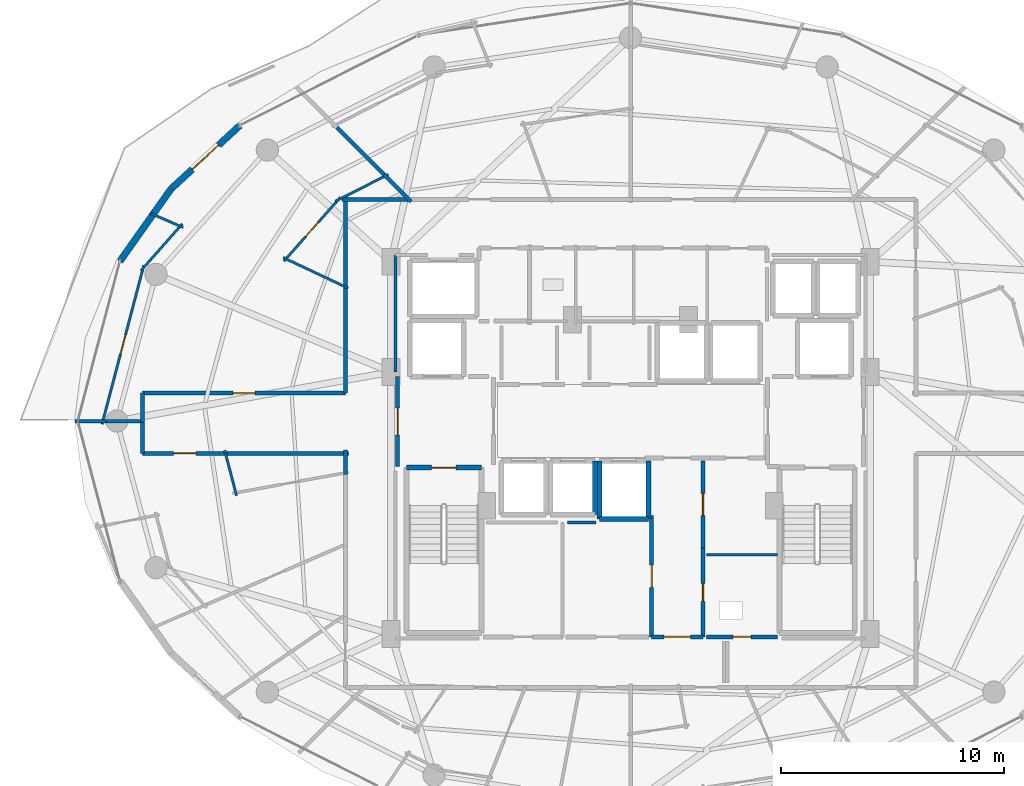
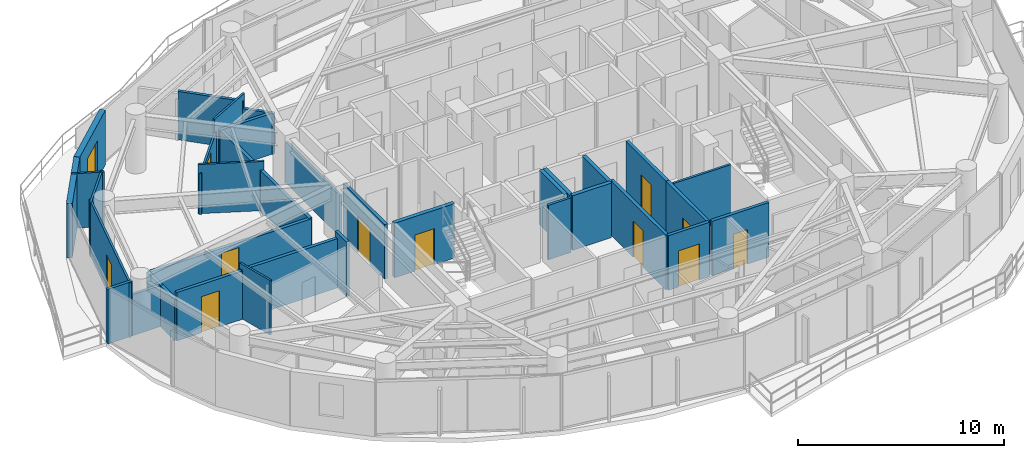
# One storey, part 23 of 31: 36 walls, 12 doors, 12 openings.
"""IFC4 building model written with IfcOpenShell, lengths in metres."""

import ifcopenshell
import ifcopenshell.guid

model = None  # the IFC model being written
_history = None  # IfcOwnerHistory: only IFC2X3 demands one
_inside = {}  # id of a spatial element -> (the spatial element, [elements in it])
_under = {}  # id of a project, library or spatial element -> (it, [spatial elements below it])
_declared = {}  # id of a project -> (the project, [libraries it declares])
_typed = {}  # id of a type object -> (the type object, [elements of that type])
_made_of = {}  # id of a material, layer set ... -> (it, [elements and type objects made of it])


def new_model(schema):
    """Start an empty IFC model of exactly this schema.

    Asked for "IFC4X3", IfcOpenShell would pick the latest addendum, in which some entities
    have other attributes; the version numbers below select the first issue.
    IFC2X3 requires an IfcOwnerHistory on every rooted entity: one is made here for all.
    """
    global model, _history
    if schema == "IFC4X3":
        model = ifcopenshell.file(schema_version=(4, 3, 0, 0))
    else:
        model = ifcopenshell.file(schema=schema)
    _inside.clear()
    _under.clear()
    _declared.clear()
    _typed.clear()
    _made_of.clear()
    _history = None
    if model.schema == "IFC2X3":
        org = make("IfcOrganization", Name="unknown")
        user = make(
            "IfcPersonAndOrganization",
            ThePerson=make("IfcPerson", FamilyName="unknown"),
            TheOrganization=org,
        )
        app = make(
            "IfcApplication",
            ApplicationDeveloper=org,
            Version="unknown",
            ApplicationFullName="unknown",
            ApplicationIdentifier="unknown",
        )
        _history = make(
            "IfcOwnerHistory",
            OwningUser=user,
            OwningApplication=app,
            ChangeAction="ADDED",
            CreationDate=0,
        )
    return model


def make(cls, **values):
    """One entity of the class cls with the attributes given. An attribute that is None is left unset."""
    return model.create_entity(
        cls, **{name: value for name, value in values.items() if value is not None}
    )


def rooted(cls, **values):
    """An entity with a GlobalId (a new one), such as an element, a storey or a relation."""
    return make(cls, GlobalId=ifcopenshell.guid.new(), OwnerHistory=_history, **values)


def si_unit(unit_type, name, prefix=None):
    """IfcSIUnit, for example si_unit("LENGTHUNIT", "METRE", prefix="MILLI")."""
    return make("IfcSIUnit", UnitType=unit_type, Prefix=prefix, Name=name)


def assignment(units):
    """IfcUnitAssignment: the units of a project."""
    return None if units is None else make("IfcUnitAssignment", Units=units)


def point(xyz):
    """IfcCartesianPoint."""
    return None if xyz is None else make("IfcCartesianPoint", Coordinates=xyz)


def direction(xyz):
    """IfcDirection."""
    return None if xyz is None else make("IfcDirection", DirectionRatios=xyz)


def frame(location, z_axis=None, x_axis=None):
    """IfcAxis2Placement3D, a coordinate frame: its origin and axes. An axis left out is left unset."""
    return make(
        "IfcAxis2Placement3D",
        Location=point(location),
        Axis=direction(z_axis),
        RefDirection=direction(x_axis),
    )


def frame_2d(location, x_axis=None):
    """IfcAxis2Placement2D, a coordinate frame in the plane: its origin and x axis."""
    return make(
        "IfcAxis2Placement2D", Location=point(location), RefDirection=direction(x_axis)
    )


def origin():
    """The frame at (0, 0, 0) with its axes left unset."""
    return frame((0.0, 0.0, 0.0))


def place(relative_to, where):
    """IfcLocalPlacement: puts the frame where relative to a parent placement (None: the world)."""
    return make(
        "IfcLocalPlacement", PlacementRelTo=relative_to, RelativePlacement=where
    )


def context(
    kind, dimensions, precision=None, world=None, true_north=None, identifier=None
):
    """IfcGeometricRepresentationContext, for example the 3D "Model" context."""
    return make(
        "IfcGeometricRepresentationContext",
        ContextIdentifier=identifier,
        ContextType=kind,
        CoordinateSpaceDimension=dimensions,
        Precision=precision,
        WorldCoordinateSystem=world,
        TrueNorth=true_north,
    )


def subcontext(parent, identifier, kind, view, scale=None):
    """IfcGeometricRepresentationSubContext, for example "Body" below "Model"."""
    return make(
        "IfcGeometricRepresentationSubContext",
        ContextIdentifier=identifier,
        ContextType=kind,
        ParentContext=parent,
        TargetScale=scale,
        TargetView=view,
    )


def project(units=None, contexts=None):
    """IfcProject with its units and contexts."""
    return rooted(
        "IfcProject",
        Name="project",
        RepresentationContexts=contexts,
        UnitsInContext=assignment(units),
    )


def spatial(cls, under=None, at=None, **own):
    """A site, building, storey or space (cls), placed at a placement, below another one or the project."""
    s = rooted(cls, ObjectPlacement=at, **own)
    if under is not None:
        _under.setdefault(under.id(), (under, []))[1].append(s)
    return s


def profile(cls, at=None, kind="AREA", **sizes):
    """A parametric profile (cls). Its sizes go by their IFC names, for example OverallWidth=200.0."""
    return make(cls, ProfileType=kind, Position=at, **sizes)


def rectangle(**sizes):
    """IfcRectangleProfileDef."""
    return profile("IfcRectangleProfileDef", **sizes)


def extrude(swept, where, along, depth):
    """IfcExtrudedAreaSolid: the profile swept, set in the frame where, extruded along a direction by depth."""
    return make(
        "IfcExtrudedAreaSolid",
        SweptArea=swept,
        Position=where,
        ExtrudedDirection=direction(along),
        Depth=depth,
    )


def shape(context_of_items, identifier, shape_type, items):
    """IfcShapeRepresentation: the items that make up one representation, for example the "Body"."""
    return make(
        "IfcShapeRepresentation",
        ContextOfItems=context_of_items,
        RepresentationIdentifier=identifier,
        RepresentationType=shape_type,
        Items=items,
    )


def material(Name=None, Category=None):
    """IfcMaterial."""
    return make("IfcMaterial", Name=Name, Category=Category)


def layer(
    of_material, thickness, ventilated=None, Name=None, Category=None, Priority=None
):
    """IfcMaterialLayer: one layer of a wall or slab, of a material (None: an air gap)."""
    return make(
        "IfcMaterialLayer",
        Material=of_material,
        LayerThickness=thickness,
        IsVentilated=ventilated,
        Name=Name,
        Category=Category,
        Priority=Priority,
    )


def layer_set(layers, Name=None):
    """IfcMaterialLayerSet."""
    return make("IfcMaterialLayerSet", MaterialLayers=layers, LayerSetName=Name)


def made_of(thing, what):
    """Note that an element or type object is made of a material, layer set ...; save() writes the relation."""
    if what is not None:
        _made_of.setdefault(what.id(), (what, []))[1].append(thing)
    return thing


def type_object(cls, material=None, **own):
    """A type object (cls), such as IfcWallType, which elements share."""
    return made_of(rooted(cls, **own), material)


def element(
    cls,
    number,
    at=None,
    inside=None,
    cuts=None,
    type_object=None,
    material=None,
    context=None,
    identifier="Body",
    shape_type=None,
    held_by="IfcProductDefinitionShape",
    body=None,
    shapes=None,
    **own,
):
    """One element of the class cls, such as IfcWall. Its Tag is "e" and its number.

    at: its placement. inside: the storey or other place that contains it. cuts: it is an
    opening in that element (IfcRelVoidsElement). A single representation is given by context,
    identifier, shape_type and body (its items); several are given by shapes. held_by: the class
    of the entity that holds the representations. save() writes the other relations.
    """
    e = rooted(cls, Tag="e%d" % number, ObjectPlacement=at, **own)
    if body is not None:
        shapes = [shape(context, identifier, shape_type, body)]
    if shapes is not None:
        e.Representation = make(held_by, Representations=shapes)
    if inside is not None:
        _inside.setdefault(inside.id(), (inside, []))[1].append(e)
    if cuts is not None:
        rooted(
            "IfcRelVoidsElement", RelatingBuildingElement=cuts, RelatedOpeningElement=e
        )
    if type_object is not None:
        _typed.setdefault(type_object.id(), (type_object, []))[1].append(e)
    return made_of(e, material)


def fill(opening, filler):
    """IfcRelFillsElement: the door or window that sits in an opening."""
    return rooted(
        "IfcRelFillsElement",
        RelatingOpeningElement=opening,
        RelatedBuildingElement=filler,
    )


def aggregate(whole, parts):
    """IfcRelAggregates: a whole, such as a stair, and the parts it consists of."""
    return rooted("IfcRelAggregates", RelatingObject=whole, RelatedObjects=parts)


def save(model, path):
    """Write the relations noted so far, then the file.

    IfcRelAggregates (storeys below a building ...), IfcRelContainedInSpatialStructure (elements
    in a storey), IfcRelDefinesByType, IfcRelAssociatesMaterial and IfcRelDeclares: one each for
    every whole, place, type object, material and project.
    """
    for whole, parts in _under.values():
        aggregate(whole, parts)
    for where, things in _inside.values():
        rooted(
            "IfcRelContainedInSpatialStructure",
            RelatedElements=things,
            RelatingStructure=where,
        )
    for kind, things in _typed.values():
        rooted("IfcRelDefinesByType", RelatedObjects=things, RelatingType=kind)
    for what, things in _made_of.values():
        rooted("IfcRelAssociatesMaterial", RelatedObjects=things, RelatingMaterial=what)
    for by, libraries in _declared.values():
        rooted("IfcRelDeclares", RelatingContext=by, RelatedDefinitions=libraries)
    model.write(path)


model = new_model("IFC4")

# Units and contexts
model_context = context("Model", 3, precision=1e-05, world=origin(), true_north=direction((0.0, 1.0)))
body_context = subcontext(model_context, "Body", "Model", "MODEL_VIEW")
ifc_project = project(units=[si_unit("LENGTHUNIT", "METRE"), si_unit("AREAUNIT", "SQUARE_METRE"), si_unit("VOLUMEUNIT", "CUBIC_METRE"), si_unit("PLANEANGLEUNIT", "RADIAN"), si_unit("MASSUNIT", "GRAM", prefix="KILO")], contexts=[model_context])

# Site, building, storey
site_placement = place(None, origin())
site = spatial("IfcSite", under=ifc_project, at=site_placement, CompositionType="ELEMENT")
building_placement = place(site_placement, origin())
building = spatial("IfcBuilding", under=site, at=building_placement, Name="Vorneva Point Tower", CompositionType="ELEMENT")
storey_placement = place(building_placement, frame((0.0, 0.0, 132.60009765625)))
storey = spatial("IfcBuildingStorey", under=building, at=storey_placement, Name="L35", CompositionType="ELEMENT", Elevation=132.60009765625)

# Wall, opening, door
ifc_material_1 = material(Name="Precast concrete B50 (C40/50)", Category="concrete")
ifc_layer_1 = layer(ifc_material_1, 0.300048828125)
ifc_layer_set_1 = layer_set([ifc_layer_1], Name="Precast concrete B50 (C40/50)")
wall_type_1 = type_object("IfcWallType", Name="WL-EXT-300", PredefinedType="STANDARD", material=ifc_layer_set_1)
wall_1_placement = place(storey_placement, frame((20.4638671875, 39.25830078125, 0.0), z_axis=(0.0, 0.0, 1.0), x_axis=(-0.735477154165, -0.677549522693, 0.0)))
wall_1 = element("IfcWall", 1, at=wall_1_placement, inside=storey, type_object=wall_type_1, Name="L35 Pale-Metal Facade Spandrel Wall 07.1", PredefinedType="STANDARD", context=body_context, shape_type="SweptSolid", body=[
    extrude(rectangle(XDim=4.193603515625, YDim=0.300048828125, at=frame_2d((2.0966796875, 0.0))), origin(), (0.0, 0.0, 1.0), 3.239990234375),
])
opening_1_placement = place(wall_1_placement, frame((1.296875, 0.0, 0.0)))
opening_1 = element("IfcOpeningElement", 2, at=opening_1_placement, cuts=wall_1, Name="Opening BD-01", PredefinedType="OPENING", context=body_context, shape_type="SweptSolid", body=[
    extrude(rectangle(XDim=1.60009765625, YDim=2.300048828125, at=frame_2d((0.800048828125, 1.14990234375))), frame((0.0, 0.1650390625, 0.0), z_axis=(0.0, -1.0, 0.0), x_axis=(1.0, 0.0, 0.0)), (0.0, 0.0, 1.0), 0.329833984375),
])
ifc_material_2 = material(Name="Pale anodised aluminium", Category="aluminium")
door_type_1 = type_object("IfcDoorType", Name="DR-BAL-1600", OperationType="SLIDING_TO_LEFT", PredefinedType="DOOR", material=ifc_material_2)
door_1_placement = place(opening_1_placement, origin())
door_1 = element("IfcDoor", 3, at=door_1_placement, inside=storey, type_object=door_type_1, Name="L35 Balcony Terrace Access Door 07", OperationType="SLIDING_TO_LEFT", OverallHeight=2.300048828125, OverallWidth=1.60009765625, PredefinedType="DOOR", context=body_context, shape_type="SweptSolid", body=[
    extrude(rectangle(XDim=1.60009765625, YDim=2.300048828125, at=frame_2d((0.800048828125, 1.14990234375))), frame((0.0, 0.02490234375, 0.0), z_axis=(0.0, -1.0, 0.0), x_axis=(1.0, 0.0, 0.0)), (0.0, 0.0, 1.0), 0.050048828125),
])
fill(opening_1, door_1)

# Walls
wall_2_placement = place(storey_placement, frame((17.379638671875, 36.4169921875, 0.0), z_axis=(0.0, 0.0, 1.0), x_axis=(-0.577269753207, -0.816553508371, 0.0)))
element("IfcWall", 4, at=wall_2_placement, inside=storey, type_object=wall_type_1, Name="L35 Pale-Metal Facade Spandrel Wall 07.2", PredefinedType="STANDARD", context=body_context, shape_type="SweptSolid", body=[
    extrude(rectangle(XDim=3.969970703125, YDim=0.300048828125, at=frame_2d((1.98486328125, 0.0))), origin(), (0.0, 0.0, 1.0), 3.239990234375),
])
ifc_material_3 = material(Name="Fire-rated acoustic gypsum stud partition", Category="gypsum")
ifc_layer_2 = layer(ifc_material_3, 0.110107421875)
ifc_layer_set_2 = layer_set([ifc_layer_2], Name="Fire-rated acoustic gypsum stud partition")
wall_type_2 = type_object("IfcWallType", Name="WL-PART-110", PredefinedType="PARTITIONING", material=ifc_layer_set_2)
wall_3_placement = place(storey_placement, frame((25.32666015625, 31.96337890625, 0.0), z_axis=(0.0, 0.0, 1.0), x_axis=(-0.904775800467, 0.425888190596, 0.0)))
element("IfcWall", 5, at=wall_3_placement, inside=storey, type_object=wall_type_2, Name="L35 Interior Partition 096", PredefinedType="PARTITIONING", context=body_context, shape_type="SweptSolid", body=[
    extrude(rectangle(XDim=3.224609375, YDim=0.110107421875, at=frame_2d((1.6123046875, 0.0))), origin(), (0.0, 0.0, 1.0), 2.921875),
])

# Wall, opening, door
wall_4_placement = place(storey_placement, frame((22.443359375, 33.172119140625, 0.0), z_axis=(0.0, 0.0, 1.0), x_axis=(0.662199468358, 0.749327607997, 0.0)))
wall_4 = element("IfcWall", 6, at=wall_4_placement, inside=storey, type_object=wall_type_2, Name="L35 Interior Partition 097", PredefinedType="PARTITIONING", context=body_context, shape_type="SweptSolid", body=[
    extrude(rectangle(XDim=3.813720703125, YDim=0.110107421875, at=frame_2d((1.90673828125, 0.0))), origin(), (0.0, 0.0, 1.0), 2.431884765625),
])
opening_2_placement = place(wall_4_placement, frame((1.48193359375, 0.0, 0.0)))
opening_2 = element("IfcOpeningElement", 7, at=opening_2_placement, cuts=wall_4, Name="Opening ID-02", PredefinedType="OPENING", context=body_context, shape_type="SweptSolid", body=[
    extrude(rectangle(XDim=0.85009765625, YDim=2.10009765625, at=frame_2d((0.425048828125, 1.050048828125))), frame((0.0, 0.06982421875, 0.0), z_axis=(0.0, -1.0, 0.0), x_axis=(1.0, 0.0, 0.0)), (0.0, 0.0, 1.0), 0.139892578125),
])
ifc_material_4 = material(Name="Engineered oak fire-rated door leaf", Category="wood")
door_type_2 = type_object("IfcDoorType", Name="DR-BATH-850", OperationType="NOTDEFINED", PredefinedType="DOOR", material=ifc_material_4)
door_2_placement = place(opening_2_placement, origin())
door_2 = element("IfcDoor", 8, at=door_2_placement, inside=storey, type_object=door_type_2, Name="L35 Door Studio Apartment L35-04 / Bathroom L35-04", OperationType="SINGLE_SWING_LEFT", OverallHeight=2.10009765625, OverallWidth=0.85009765625, PredefinedType="DOOR", context=body_context, shape_type="SweptSolid", body=[
    extrude(rectangle(XDim=0.85009765625, YDim=2.10009765625, at=frame_2d((0.425048828125, 1.050048828125))), frame((0.0, 0.02490234375, 0.0), z_axis=(0.0, -1.0, 0.0), x_axis=(1.0, 0.0, 0.0)), (0.0, 0.0, 1.0), 0.050048828125),
])
fill(opening_2, door_2)

# Walls
wall_5_placement = place(storey_placement, frame((24.751220703125, 35.86181640625, 0.0), z_axis=(0.0, 0.0, 1.0), x_axis=(0.892455114256, 0.451136197882, 0.0)))
element("IfcWall", 9, at=wall_5_placement, inside=storey, type_object=wall_type_2, Name="L35 Interior Partition 098", PredefinedType="PARTITIONING", context=body_context, shape_type="SweptSolid", body=[
    extrude(rectangle(XDim=2.660888671875, YDim=0.110107421875, at=frame_2d((1.33056640625, 0.0))), origin(), (0.0, 0.0, 1.0), 3.239990234375),
])
wall_6_placement = place(storey_placement, frame((17.8857421875, 34.848876953125, 0.0), z_axis=(0.0, 0.0, 1.0), x_axis=(-0.661981664989, -0.749520029898, 0.0)))
element("IfcWall", 10, at=wall_6_placement, inside=storey, type_object=wall_type_2, Name="L35 Interior Partition 099", PredefinedType="PARTITIONING", context=body_context, shape_type="SweptSolid", body=[
    extrude(rectangle(XDim=2.802978515625, YDim=0.110107421875, at=frame_2d((1.4013671875, 0.0))), origin(), (0.0, 0.0, 1.0), 3.239990234375),
])

# Wall, opening, door
wall_7_placement = place(storey_placement, frame((16.15869140625, 32.98828125, 0.0), z_axis=(0.0, 0.0, 1.0), x_axis=(-0.254441093922, -0.967088274008, 0.0)))
wall_7 = element("IfcWall", 11, at=wall_7_placement, inside=storey, type_object=wall_type_2, Name="L35 Interior Partition 100", PredefinedType="PARTITIONING", context=body_context, shape_type="SweptSolid", body=[
    extrude(rectangle(XDim=7.3662109375, YDim=0.110107421875, at=frame_2d((3.68310546875, 0.0))), origin(), (0.0, 0.0, 1.0), 3.239990234375),
])
opening_3_placement = place(wall_7_placement, frame((3.233154296875, 0.0, 0.0)))
opening_3 = element("IfcOpeningElement", 12, at=opening_3_placement, cuts=wall_7, Name="Opening ID-01", PredefinedType="OPENING", context=body_context, shape_type="SweptSolid", body=[
    extrude(rectangle(XDim=0.89990234375, YDim=2.10009765625, at=frame_2d((0.449951171875, 1.050048828125))), frame((0.0, 0.06982421875, 0.0), z_axis=(0.0, -1.0, 0.0), x_axis=(1.0, 0.0, 0.0)), (0.0, 0.0, 1.0), 0.139892578125),
])
door_type_3 = type_object("IfcDoorType", Name="DR-ROOM-900", OperationType="NOTDEFINED", PredefinedType="DOOR", material=ifc_material_4)
door_3_placement = place(opening_3_placement, origin())
door_3 = element("IfcDoor", 13, at=door_3_placement, inside=storey, type_object=door_type_3, Name="L35 Door Studio Apartment L35-04 / Kitchen L35-04", OperationType="SINGLE_SWING_RIGHT", OverallHeight=2.10009765625, OverallWidth=0.89990234375, PredefinedType="DOOR", context=body_context, shape_type="SweptSolid", body=[
    extrude(rectangle(XDim=0.89990234375, YDim=2.10009765625, at=frame_2d((0.449951171875, 1.050048828125))), frame((0.0, 0.02490234375, 0.0), z_axis=(0.0, -1.0, 0.0), x_axis=(1.0, 0.0, 0.0)), (0.0, 0.0, 1.0), 0.050048828125),
])
fill(opening_3, door_3)

# Walls
wall_8_placement = place(storey_placement, frame((16.443603515625, 35.32861328125, 0.0), z_axis=(0.0, 0.0, 1.0), x_axis=(0.917553781871, -0.397611691698, 0.0)))
element("IfcWall", 14, at=wall_8_placement, inside=storey, type_object=wall_type_2, Name="L35 Interior Partition 101", PredefinedType="PARTITIONING", context=body_context, shape_type="SweptSolid", body=[
    extrude(rectangle(XDim=1.610595703125, YDim=0.110107421875, at=frame_2d((0.80517578125, 0.0))), origin(), (0.0, 0.0, 1.0), 3.239990234375),
])
wall_9_placement = place(storey_placement, frame((20.321533203125, 22.646484375, 0.0), z_axis=(0.0, 0.0, 1.0), x_axis=(-0.254316581286, 0.967121024734, 0.0)))
element("IfcWall", 15, at=wall_9_placement, inside=storey, type_object=wall_type_2, Name="L35 Interior Partition 105", PredefinedType="PARTITIONING", context=body_context, shape_type="SweptSolid", body=[
    extrude(rectangle(XDim=2.108154296875, YDim=0.110107421875, at=frame_2d((1.05419921875, 0.0))), origin(), (0.0, 0.0, 1.0), 3.239990234375),
])
ifc_layer_3 = layer(ifc_material_3, 0.125)
ifc_layer_set_3 = layer_set([ifc_layer_3], Name="Fire-rated acoustic gypsum stud partition")
wall_type_3 = type_object("IfcWallType", Name="WL-PART-125", PredefinedType="PARTITIONING", material=ifc_layer_set_3)
wall_10_placement = place(storey_placement, frame((44.60009765625, 20.0, 0.0), z_axis=(0.0, 0.0, 1.0), x_axis=(-1.0, 0.0, 0.0)))
element("IfcWall", 16, at=wall_10_placement, inside=storey, type_object=wall_type_3, Name="L35 Interior Partition 018", PredefinedType="PARTITIONING", context=body_context, shape_type="SweptSolid", body=[
    extrude(rectangle(XDim=3.2001953125, YDim=0.125, at=frame_2d((1.60009765625, 0.0))), origin(), (0.0, 0.0, 1.0), 3.239990234375),
])
ifc_layer_4 = layer(ifc_material_3, 0.139892578125)
ifc_layer_set_4 = layer_set([ifc_layer_4], Name="Fire-rated acoustic gypsum stud partition")
wall_type_4 = type_object("IfcWallType", Name="WL-PART-140", PredefinedType="PARTITIONING", material=ifc_layer_set_4)
wall_11_placement = place(storey_placement, frame((36.43896484375, 21.449951171875, 0.0), z_axis=(0.0, 0.0, 1.0), x_axis=(-1.0, 0.0, 0.0)))
element("IfcWall", 17, at=wall_11_placement, inside=storey, type_object=wall_type_4, Name="L35 Interior Closure Partition 140", PredefinedType="PARTITIONING", context=body_context, shape_type="SweptSolid", body=[
    extrude(rectangle(XDim=1.259033203125, YDim=0.139892578125, at=frame_2d((0.62939453125, 0.0))), origin(), (0.0, 0.0, 1.0), 3.239990234375),
])
wall_12_placement = place(storey_placement, frame((27.449951171875, 33.449951171875, 0.0), z_axis=(0.0, 0.0, 1.0), x_axis=(0.0, -1.0, 0.0)))
element("IfcWall", 18, at=wall_12_placement, inside=storey, type_object=wall_type_4, Name="L35 Interior Closure Partition 149", PredefinedType="PARTITIONING", context=body_context, shape_type="SweptSolid", body=[
    extrude(rectangle(XDim=5.25390625, YDim=0.139892578125, at=frame_2d((2.626953125, 0.0))), origin(), (0.0, 0.0, 1.0), 2.431884765625),
])
ifc_layer_5 = layer(ifc_material_3, 0.159912109375)
ifc_layer_set_5 = layer_set([ifc_layer_5], Name="Fire-rated acoustic gypsum stud partition")
wall_type_5 = type_object("IfcWallType", Name="WL-PART-160", PredefinedType="PARTITIONING", material=ifc_layer_set_5)
wall_13_placement = place(storey_placement, frame((24.72607421875, 39.27392578125, 0.0), z_axis=(0.0, 0.0, 1.0), x_axis=(0.707106781187, -0.707106781187, 0.0)))
element("IfcWall", 19, at=wall_13_placement, inside=storey, type_object=wall_type_5, Name="L35 Interior Partition 093", PredefinedType="PARTITIONING", context=body_context, shape_type="SweptSolid", body=[
    extrude(rectangle(XDim=3.276611328125, YDim=0.159912109375, at=frame_2d((1.63818359375, 0.0))), origin(), (0.0, 0.0, 1.0), 2.8740234375),
])
wall_14_placement = place(storey_placement, frame((26.944091796875, 37.055908203125, 0.0), z_axis=(0.0, 0.0, 1.0), x_axis=(0.707106781187, -0.707106781187, 0.0)))
element("IfcWall", 20, at=wall_14_placement, inside=storey, type_object=wall_type_5, Name="L35 Interior Partition 094", PredefinedType="PARTITIONING", context=body_context, shape_type="SweptSolid", body=[
    extrude(rectangle(XDim=1.703857421875, YDim=0.159912109375, at=frame_2d((0.85205078125, 0.0))), origin(), (0.0, 0.0, 1.0), 2.431884765625),
])
wall_15_placement = place(storey_placement, frame((14.320068359375, 26.0, 0.0), z_axis=(0.0, 0.0, 1.0), x_axis=(1.0, 0.0, 0.0)))
element("IfcWall", 21, at=wall_15_placement, inside=storey, type_object=wall_type_5, Name="L35 Interior Partition 102", PredefinedType="PARTITIONING", context=body_context, shape_type="SweptSolid", body=[
    extrude(rectangle(XDim=1.780029296875, YDim=0.159912109375, at=frame_2d((0.89013671875, 0.0))), origin(), (0.0, 0.0, 1.0), 2.431884765625),
])
wall_16_placement = place(storey_placement, frame((13.06103515625, 26.0, 0.0), z_axis=(0.0, 0.0, 1.0), x_axis=(1.0, 0.0, 0.0)))
element("IfcWall", 22, at=wall_16_placement, inside=storey, type_object=wall_type_5, Name="L35 Interior Partition 103", PredefinedType="PARTITIONING", context=body_context, shape_type="SweptSolid", body=[
    extrude(rectangle(XDim=1.39892578125, YDim=0.159912109375, at=frame_2d((0.699462890625, 0.0))), origin(), (0.0, 0.0, 1.0), 3.239990234375),
])

# Wall, opening, door
ifc_material_5 = material(Name="Autoclaved aerated concrete blockwork", Category="masonry")
ifc_layer_6 = layer(ifc_material_5, 0.179931640625)
ifc_layer_set_6 = layer_set([ifc_layer_6], Name="Autoclaved aerated concrete blockwork")
wall_type_6 = type_object("IfcWallType", Name="WL-PART-180", PredefinedType="PARTITIONING", material=ifc_layer_set_6)
wall_17_placement = place(storey_placement, frame((27.550048828125, 28.0, 0.0), z_axis=(0.0, 0.0, 1.0), x_axis=(0.0, -1.0, 0.0)))
wall_17 = element("IfcWall", 23, at=wall_17_placement, inside=storey, type_object=wall_type_6, Name="L35 Interior Partition 002", PredefinedType="PARTITIONING", context=body_context, shape_type="SweptSolid", body=[
    extrude(rectangle(XDim=4.050048828125, YDim=0.179931640625, at=frame_2d((2.02490234375, 0.0))), origin(), (0.0, 0.0, 1.0), 3.239990234375),
])
opening_4_placement = place(wall_17_placement, frame((1.425048828125, 0.0, 0.0)))
opening_4 = element("IfcOpeningElement", 24, at=opening_4_placement, cuts=wall_17, Name="Opening FD-02", PredefinedType="OPENING", context=body_context, shape_type="SweptSolid", body=[
    extrude(rectangle(XDim=1.199951171875, YDim=2.14990234375, at=frame_2d((0.60009765625, 1.074951171875))), frame((0.0, 0.10498046875, 0.0), z_axis=(0.0, -1.0, 0.0), x_axis=(1.0, 0.0, 0.0)), (0.0, 0.0, 1.0), 0.209716796875),
])
ifc_material_6 = material(Name="Fire-rated powder-coated steel", Category="steel")
door_type_4 = type_object("IfcDoorType", Name="DR-FFL-1200", OperationType="NOTDEFINED", PredefinedType="DOOR", material=ifc_material_6)
door_4_placement = place(opening_4_placement, origin())
door_4 = element("IfcDoor", 25, at=door_4_placement, inside=storey, type_object=door_type_4, Name="L35 Door West Firefighting Lobby / L35 Circulation Corridor", OperationType="SINGLE_SWING_RIGHT", OverallHeight=2.14990234375, OverallWidth=1.199951171875, PredefinedType="DOOR", context=body_context, shape_type="SweptSolid", body=[
    extrude(rectangle(XDim=1.199951171875, YDim=2.14990234375, at=frame_2d((0.60009765625, 1.074951171875))), frame((0.0, 0.02490234375, 0.0), z_axis=(0.0, -1.0, 0.0), x_axis=(1.0, 0.0, 0.0)), (0.0, 0.0, 1.0), 0.050048828125),
])
fill(opening_4, door_4)

wall_18_placement = place(storey_placement, frame((41.25, 16.320068359375, 0.0), z_axis=(0.0, 0.0, 1.0), x_axis=(0.0, 1.0, 0.0)))
wall_18 = element("IfcWall", 26, at=wall_18_placement, inside=storey, type_object=wall_type_6, Name="L35 Interior Partition 014", PredefinedType="PARTITIONING", context=body_context, shape_type="SweptSolid", body=[
    extrude(rectangle(XDim=3.98486328125, YDim=0.179931640625, at=frame_2d((1.992431640625, 0.0))), origin(), (0.0, 0.0, 1.0), 3.239990234375),
])
opening_5_placement = place(wall_18_placement, frame((1.592529296875, 0.0, 0.0)))
opening_5 = element("IfcOpeningElement", 27, at=opening_5_placement, cuts=wall_18, Name="Opening RD-01", PredefinedType="OPENING", context=body_context, shape_type="SweptSolid", body=[
    extrude(rectangle(XDim=0.800048828125, YDim=2.050048828125, at=frame_2d((0.39990234375, 1.02490234375))), frame((0.0, 0.10498046875, 0.0), z_axis=(0.0, -1.0, 0.0), x_axis=(1.0, 0.0, 0.0)), (0.0, 0.0, 1.0), 0.209716796875),
])
door_type_5 = type_object("IfcDoorType", Name="DR-RSR-800", OperationType="SINGLE_SWING_LEFT", PredefinedType="DOOR", material=ifc_material_6)
door_5_placement = place(opening_5_placement, origin())
door_5 = element("IfcDoor", 28, at=door_5_placement, inside=storey, type_object=door_type_5, Name="L35 Door Core Service Lobby / Electrical Riser", OperationType="SINGLE_SWING_RIGHT", OverallHeight=2.050048828125, OverallWidth=0.800048828125, PredefinedType="DOOR", context=body_context, shape_type="SweptSolid", body=[
    extrude(rectangle(XDim=0.800048828125, YDim=2.050048828125, at=frame_2d((0.39990234375, 1.02490234375))), frame((0.0, 0.02490234375, 0.0), z_axis=(0.0, -1.0, 0.0), x_axis=(1.0, 0.0, 0.0)), (0.0, 0.0, 1.0), 0.050048828125),
])
fill(opening_5, door_5)

wall_19_placement = place(storey_placement, frame((41.25, 20.304931640625, 0.0), z_axis=(0.0, 0.0, 1.0), x_axis=(0.0, 1.0, 0.0)))
wall_19 = element("IfcWall", 29, at=wall_19_placement, inside=storey, type_object=wall_type_6, Name="L35 Interior Partition 015", PredefinedType="PARTITIONING", context=body_context, shape_type="SweptSolid", body=[
    extrude(rectangle(XDim=3.89501953125, YDim=0.179931640625, at=frame_2d((1.947509765625, 0.0))), origin(), (0.0, 0.0, 1.0), 3.239990234375),
])
opening_6_placement = place(wall_19_placement, frame((1.447509765625, 0.0, 0.0)))
opening_6 = element("IfcOpeningElement", 30, at=opening_6_placement, cuts=wall_19, Name="Opening UD-01", PredefinedType="OPENING", context=body_context, shape_type="SweptSolid", body=[
    extrude(rectangle(XDim=1.0, YDim=2.14990234375, at=frame_2d((0.5, 1.074951171875))), frame((0.0, 0.10498046875, 0.0), z_axis=(0.0, -1.0, 0.0), x_axis=(1.0, 0.0, 0.0)), (0.0, 0.0, 1.0), 0.209716796875),
])
door_type_6 = type_object("IfcDoorType", Name="DR-UNIT-1000", OperationType="NOTDEFINED", PredefinedType="DOOR", material=ifc_material_4)
door_6_placement = place(opening_6_placement, origin())
door_6 = element("IfcDoor", 31, at=door_6_placement, inside=storey, type_object=door_type_6, Name="L35 Door Core Service Lobby / Floor Management Office", OperationType="SINGLE_SWING_LEFT", OverallHeight=2.14990234375, OverallWidth=1.0, PredefinedType="DOOR", context=body_context, shape_type="SweptSolid", body=[
    extrude(rectangle(XDim=1.0, YDim=2.14990234375, at=frame_2d((0.5, 1.074951171875))), frame((0.0, 0.02490234375, 0.0), z_axis=(0.0, -1.0, 0.0), x_axis=(1.0, 0.0, 0.0)), (0.0, 0.0, 1.0), 0.050048828125),
])
fill(opening_6, door_6)

wall_20_placement = place(storey_placement, frame((38.949951171875, 21.7548828125, 0.0), z_axis=(0.0, 0.0, 1.0), x_axis=(0.0, -1.0, 0.0)))
wall_20 = element("IfcWall", 32, at=wall_20_placement, inside=storey, type_object=wall_type_6, Name="L35 Interior Partition 016", PredefinedType="PARTITIONING", context=body_context, shape_type="SweptSolid", body=[
    extrude(rectangle(XDim=5.434814453125, YDim=0.179931640625, at=frame_2d((2.71728515625, 0.0))), origin(), (0.0, 0.0, 1.0), 3.239990234375),
])
opening_7_placement = place(wall_20_placement, frame((2.217529296875, 0.0, 0.0)))
opening_7 = element("IfcOpeningElement", 33, at=opening_7_placement, cuts=wall_20, Name="Opening UD-01", PredefinedType="OPENING", context=body_context, shape_type="SweptSolid", body=[
    extrude(rectangle(XDim=1.0, YDim=2.14990234375, at=frame_2d((0.5, 1.074951171875))), frame((0.0, 0.10498046875, 0.0), z_axis=(0.0, -1.0, 0.0), x_axis=(1.0, 0.0, 0.0)), (0.0, 0.0, 1.0), 0.209716796875),
])
door_7_placement = place(opening_7_placement, origin())
door_7 = element("IfcDoor", 34, at=door_7_placement, inside=storey, type_object=door_type_6, Name="L35 Door Core Service Lobby / Staff Service Pantry", OperationType="SINGLE_SWING_RIGHT", OverallHeight=2.14990234375, OverallWidth=1.0, PredefinedType="DOOR", context=body_context, shape_type="SweptSolid", body=[
    extrude(rectangle(XDim=1.0, YDim=2.14990234375, at=frame_2d((0.5, 1.074951171875))), frame((0.0, 0.02490234375, 0.0), z_axis=(0.0, -1.0, 0.0), x_axis=(1.0, 0.0, 0.0)), (0.0, 0.0, 1.0), 0.050048828125),
])
fill(opening_7, door_7)

wall_21_placement = place(storey_placement, frame((38.949951171875, 16.320068359375, 0.0), z_axis=(0.0, 0.0, 1.0), x_axis=(1.0, 0.0, 0.0)))
wall_21 = element("IfcWall", 35, at=wall_21_placement, inside=storey, type_object=wall_type_6, Name="L35 Interior Partition 017", PredefinedType="PARTITIONING", context=body_context, shape_type="SweptSolid", body=[
    extrude(rectangle(XDim=2.300048828125, YDim=0.179931640625, at=frame_2d((1.14990234375, 0.0))), origin(), (0.0, 0.0, 1.0), 3.239990234375),
])
opening_8_placement = place(wall_21_placement, frame((0.550048828125, 0.0, 0.0)))
opening_8 = element("IfcOpeningElement", 36, at=opening_8_placement, cuts=wall_21, Name="Opening FD-02", PredefinedType="OPENING", context=body_context, shape_type="SweptSolid", body=[
    extrude(rectangle(XDim=1.199951171875, YDim=2.14990234375, at=frame_2d((0.60009765625, 1.074951171875))), frame((0.0, 0.10498046875, 0.0), z_axis=(0.0, -1.0, 0.0), x_axis=(1.0, 0.0, 0.0)), (0.0, 0.0, 1.0), 0.209716796875),
])
door_8_placement = place(opening_8_placement, origin())
door_8 = element("IfcDoor", 37, at=door_8_placement, inside=storey, type_object=door_type_4, Name="L35 Door Core Service Lobby / L35 Circulation Corridor", OperationType="SINGLE_SWING_LEFT", OverallHeight=2.14990234375, OverallWidth=1.199951171875, PredefinedType="DOOR", context=body_context, shape_type="SweptSolid", body=[
    extrude(rectangle(XDim=1.199951171875, YDim=2.14990234375, at=frame_2d((0.60009765625, 1.074951171875))), frame((0.0, 0.02490234375, 0.0), z_axis=(0.0, -1.0, 0.0), x_axis=(1.0, 0.0, 0.0)), (0.0, 0.0, 1.0), 0.050048828125),
])
fill(opening_8, door_8)

wall_22_placement = place(storey_placement, frame((41.39990234375, 16.320068359375, 0.0), z_axis=(0.0, 0.0, 1.0), x_axis=(1.0, 0.0, 0.0)))
wall_22 = element("IfcWall", 38, at=wall_22_placement, inside=storey, type_object=wall_type_6, Name="L35 Interior Partition 019", PredefinedType="PARTITIONING", context=body_context, shape_type="SweptSolid", body=[
    extrude(rectangle(XDim=3.2001953125, YDim=0.179931640625, at=frame_2d((1.60009765625, 0.0))), origin(), (0.0, 0.0, 1.0), 3.239990234375),
])
opening_9_placement = place(wall_22_placement, frame((1.199951171875, 0.0, 0.0)))
opening_9 = element("IfcOpeningElement", 39, at=opening_9_placement, cuts=wall_22, Name="Opening RD-01", PredefinedType="OPENING", context=body_context, shape_type="SweptSolid", body=[
    extrude(rectangle(XDim=0.800048828125, YDim=2.050048828125, at=frame_2d((0.39990234375, 1.02490234375))), frame((0.0, 0.10498046875, 0.0), z_axis=(0.0, -1.0, 0.0), x_axis=(1.0, 0.0, 0.0)), (0.0, 0.0, 1.0), 0.209716796875),
])
door_9_placement = place(opening_9_placement, origin())
door_9 = element("IfcDoor", 40, at=door_9_placement, inside=storey, type_object=door_type_5, Name="L35 Door Electrical Riser / L35 Circulation Corridor", OperationType="SINGLE_SWING_RIGHT", OverallHeight=2.050048828125, OverallWidth=0.800048828125, PredefinedType="DOOR", context=body_context, shape_type="SweptSolid", body=[
    extrude(rectangle(XDim=0.800048828125, YDim=2.050048828125, at=frame_2d((0.39990234375, 1.02490234375))), frame((0.0, 0.02490234375, 0.0), z_axis=(0.0, -1.0, 0.0), x_axis=(1.0, 0.0, 0.0)), (0.0, 0.0, 1.0), 0.050048828125),
])
fill(opening_9, door_9)

# Walls
wall_23_placement = place(storey_placement, frame((16.10009765625, 27.25, 0.0), z_axis=(0.0, 0.0, 1.0), x_axis=(0.0, -1.0, 0.0)))
element("IfcWall", 41, at=wall_23_placement, inside=storey, type_object=wall_type_6, Name="L35 Interior Partition 044", PredefinedType="PARTITIONING", context=body_context, shape_type="SweptSolid", body=[
    extrude(rectangle(XDim=1.31005859375, YDim=0.179931640625, at=frame_2d((0.655029296875, 0.0))), origin(), (0.0, 0.0, 1.0), 2.431884765625),
])
wall_24_placement = place(storey_placement, frame((25.199951171875, 32.089111328125, 0.0), z_axis=(0.0, 0.0, 1.0), x_axis=(0.0, -1.0, 0.0)))
element("IfcWall", 42, at=wall_24_placement, inside=storey, type_object=wall_type_6, Name="L35 Interior Partition 045", PredefinedType="PARTITIONING", context=body_context, shape_type="SweptSolid", body=[
    extrude(rectangle(XDim=4.839111328125, YDim=0.179931640625, at=frame_2d((2.41943359375, 0.0))), origin(), (0.0, 0.0, 1.0), 2.431884765625),
])

# Wall, opening, door
wall_25_placement = place(storey_placement, frame((25.199951171875, 27.25, 0.0), z_axis=(0.0, 0.0, 1.0), x_axis=(-1.0, 0.0, 0.0)))
wall_25 = element("IfcWall", 43, at=wall_25_placement, inside=storey, type_object=wall_type_6, Name="L35 Interior Partition 046", PredefinedType="PARTITIONING", context=body_context, shape_type="SweptSolid", body=[
    extrude(rectangle(XDim=9.099853515625, YDim=0.179931640625, at=frame_2d((4.5498046875, 0.0))), origin(), (0.0, 0.0, 1.0), 2.431884765625),
])
opening_10_placement = place(wall_25_placement, frame((4.050048828125, 0.0, 0.0)))
opening_10 = element("IfcOpeningElement", 44, at=opening_10_placement, cuts=wall_25, Name="Opening UD-01", PredefinedType="OPENING", context=body_context, shape_type="SweptSolid", body=[
    extrude(rectangle(XDim=1.0, YDim=2.14990234375, at=frame_2d((0.5, 1.074951171875))), frame((0.0, 0.10498046875, 0.0), z_axis=(0.0, -1.0, 0.0), x_axis=(1.0, 0.0, 0.0)), (0.0, 0.0, 1.0), 0.209716796875),
])
door_10_placement = place(opening_10_placement, origin())
door_10 = element("IfcDoor", 45, at=door_10_placement, inside=storey, type_object=door_type_6, Name="L35 Door L35 Circulation Corridor / Studio Apartment L35-04", OperationType="SINGLE_SWING_RIGHT", OverallHeight=2.14990234375, OverallWidth=1.0, PredefinedType="DOOR", context=body_context, shape_type="SweptSolid", body=[
    extrude(rectangle(XDim=1.0, YDim=2.14990234375, at=frame_2d((0.5, 1.074951171875))), frame((0.0, 0.02490234375, 0.0), z_axis=(0.0, -1.0, 0.0), x_axis=(1.0, 0.0, 0.0)), (0.0, 0.0, 1.0), 0.050048828125),
])
fill(opening_10, door_10)

# Walls
wall_26_placement = place(storey_placement, frame((28.10498046875, 35.949951171875, 0.0), z_axis=(0.0, 0.0, 1.0), x_axis=(-1.0, 0.0, 0.0)))
element("IfcWall", 46, at=wall_26_placement, inside=storey, type_object=wall_type_6, Name="L35 Interior Partition 047", PredefinedType="PARTITIONING", context=body_context, shape_type="SweptSolid", body=[
    extrude(rectangle(XDim=3.044921875, YDim=0.179931640625, at=frame_2d((1.5224609375, 0.0))), origin(), (0.0, 0.0, 1.0), 2.431884765625),
])
wall_27_placement = place(storey_placement, frame((25.199951171875, 36.090087890625, 0.0), z_axis=(0.0, 0.0, 1.0), x_axis=(0.0, -1.0, 0.0)))
element("IfcWall", 47, at=wall_27_placement, inside=storey, type_object=wall_type_6, Name="L35 Interior Partition 048", PredefinedType="PARTITIONING", context=body_context, shape_type="SweptSolid", body=[
    extrude(rectangle(XDim=4.14111328125, YDim=0.179931640625, at=frame_2d((2.070556640625, 0.0))), origin(), (0.0, 0.0, 1.0), 2.431884765625),
])
wall_28_placement = place(storey_placement, frame((16.10009765625, 25.93994140625, 0.0), z_axis=(0.0, 0.0, 1.0), x_axis=(0.0, -1.0, 0.0)))
element("IfcWall", 48, at=wall_28_placement, inside=storey, type_object=wall_type_6, Name="L35 Interior Partition 049", PredefinedType="PARTITIONING", context=body_context, shape_type="SweptSolid", body=[
    extrude(rectangle(XDim=1.389892578125, YDim=0.179931640625, at=frame_2d((0.69482421875, 0.0))), origin(), (0.0, 0.0, 1.0), 2.431884765625),
])

# Wall, opening, door
wall_29_placement = place(storey_placement, frame((16.10009765625, 24.550048828125, 0.0), z_axis=(0.0, 0.0, 1.0), x_axis=(1.0, 0.0, 0.0)))
wall_29 = element("IfcWall", 49, at=wall_29_placement, inside=storey, type_object=wall_type_6, Name="L35 Interior Partition 050", PredefinedType="PARTITIONING", context=body_context, shape_type="SweptSolid", body=[
    extrude(rectangle(XDim=3.782958984375, YDim=0.179931640625, at=frame_2d((1.8916015625, 0.0))), origin(), (0.0, 0.0, 1.0), 2.8740234375),
])
opening_11_placement = place(wall_29_placement, frame((1.3916015625, 0.0, 0.0)))
opening_11 = element("IfcOpeningElement", 50, at=opening_11_placement, cuts=wall_29, Name="Opening UD-01", PredefinedType="OPENING", context=body_context, shape_type="SweptSolid", body=[
    extrude(rectangle(XDim=1.0, YDim=2.14990234375, at=frame_2d((0.5, 1.074951171875))), frame((0.0, 0.10498046875, 0.0), z_axis=(0.0, -1.0, 0.0), x_axis=(1.0, 0.0, 0.0)), (0.0, 0.0, 1.0), 0.209716796875),
])
door_11_placement = place(opening_11_placement, origin())
door_11 = element("IfcDoor", 51, at=door_11_placement, inside=storey, type_object=door_type_6, Name="L35 Door L35 Circulation Corridor / Living and Dining Room L35-05", OperationType="SINGLE_SWING_LEFT", OverallHeight=2.14990234375, OverallWidth=1.0, PredefinedType="DOOR", context=body_context, shape_type="SweptSolid", body=[
    extrude(rectangle(XDim=1.0, YDim=2.14990234375, at=frame_2d((0.5, 1.074951171875))), frame((0.0, 0.02490234375, 0.0), z_axis=(0.0, -1.0, 0.0), x_axis=(1.0, 0.0, 0.0)), (0.0, 0.0, 1.0), 0.050048828125),
])
fill(opening_11, door_11)

# Walls
wall_30_placement = place(storey_placement, frame((19.742919921875, 24.550048828125, 0.0), z_axis=(0.0, 0.0, 1.0), x_axis=(1.0, 0.0, 0.0)))
element("IfcWall", 52, at=wall_30_placement, inside=storey, type_object=wall_type_6, Name="L35 Interior Partition 052", PredefinedType="PARTITIONING", context=body_context, shape_type="SweptSolid", body=[
    extrude(rectangle(XDim=5.59716796875, YDim=0.179931640625, at=frame_2d((2.798583984375, 0.0))), origin(), (0.0, 0.0, 1.0), 2.921875),
])
wall_31_placement = place(storey_placement, frame((25.199951171875, 24.68994140625, 0.0), z_axis=(0.0, 0.0, 1.0), x_axis=(0.0, -1.0, 0.0)))
element("IfcWall", 53, at=wall_31_placement, inside=storey, type_object=wall_type_6, Name="L35 Interior Partition 053", PredefinedType="PARTITIONING", context=body_context, shape_type="SweptSolid", body=[
    extrude(rectangle(XDim=1.094970703125, YDim=0.179931640625, at=frame_2d((0.54736328125, 0.0))), origin(), (0.0, 0.0, 1.0), 3.239990234375),
])

# Wall, opening, door
ifc_material_7 = material(Name="Concrete B50 (C40/50)", Category="concrete")
ifc_layer_7 = layer(ifc_material_7, 0.219970703125)
ifc_layer_set_7 = layer_set([ifc_layer_7], Name="Concrete B50 (C40/50)")
wall_type_7 = type_object("IfcWallType", Name="WL-SHFT-220", PredefinedType="SOLIDWALL", material=ifc_layer_set_7)
wall_32_placement = place(storey_placement, frame((27.93994140625, 23.909912109375, 0.0), z_axis=(0.0, 0.0, 1.0), x_axis=(1.0, 0.0, 0.0)))
wall_32 = element("IfcWall", 54, at=wall_32_placement, inside=storey, type_object=wall_type_7, Name="L35 Exit Stair ST1 Shaft Wall near", PredefinedType="SOLIDWALL", context=body_context, shape_type="SweptSolid", body=[
    extrude(rectangle(XDim=3.3701171875, YDim=0.219970703125, at=frame_2d((1.68505859375, 0.0))), origin(), (0.0, 0.0, 1.0), 3.239990234375),
])
opening_12_placement = place(wall_32_placement, frame((1.135009765625, 0.0, 0.0)))
opening_12 = element("IfcOpeningElement", 55, at=opening_12_placement, cuts=wall_32, Name="Opening FD-01", PredefinedType="OPENING", context=body_context, shape_type="SweptSolid", body=[
    extrude(rectangle(XDim=1.10009765625, YDim=2.14990234375, at=frame_2d((0.550048828125, 1.074951171875))), frame((0.0, 0.125, 0.0), z_axis=(0.0, -1.0, 0.0), x_axis=(1.0, 0.0, 0.0)), (0.0, 0.0, 1.0), 0.249755859375),
])
door_type_7 = type_object("IfcDoorType", Name="DR-STAIR-1100", OperationType="NOTDEFINED", PredefinedType="DOOR", material=ifc_material_6)
door_12_placement = place(opening_12_placement, origin())
door_12 = element("IfcDoor", 56, at=door_12_placement, inside=storey, type_object=door_type_7, Name="L35 Exit Stair ST1 Fire Door", OperationType="SINGLE_SWING_LEFT", OverallHeight=2.14990234375, OverallWidth=1.10009765625, PredefinedType="DOOR", context=body_context, shape_type="SweptSolid", body=[
    extrude(rectangle(XDim=1.10009765625, YDim=2.14990234375, at=frame_2d((0.550048828125, 1.074951171875))), frame((0.0, 0.02490234375, 0.0), z_axis=(0.0, -1.0, 0.0), x_axis=(1.0, 0.0, 0.0)), (0.0, 0.0, 1.0), 0.050048828125),
])
fill(opening_12, door_12)

# Walls
wall_33_placement = place(storey_placement, frame((36.39990234375, 21.800048828125, 0.0), z_axis=(0.0, 0.0, 1.0), x_axis=(0.0, 1.0, 0.0)))
element("IfcWall", 57, at=wall_33_placement, inside=storey, type_object=wall_type_7, Name="L35 Lift PL5 Shaft Wall +X", PredefinedType="SOLIDWALL", context=body_context, shape_type="SweptSolid", body=[
    extrude(rectangle(XDim=2.39990234375, YDim=0.219970703125, at=frame_2d((1.199951171875, 0.0))), origin(), (0.0, 0.0, 1.0), 3.239990234375),
])
wall_34_placement = place(storey_placement, frame((36.60009765625, 21.60009765625, 0.0), z_axis=(0.0, 0.0, 1.0), x_axis=(1.0, 0.0, 0.0)))
element("IfcWall", 58, at=wall_34_placement, inside=storey, type_object=wall_type_7, Name="L35 Lift PL6 Shaft Wall -Y", PredefinedType="SOLIDWALL", context=body_context, shape_type="SweptSolid", body=[
    extrude(rectangle(XDim=2.199951171875, YDim=0.219970703125, at=frame_2d((1.10009765625, 0.0))), origin(), (0.0, 0.0, 1.0), 3.239990234375),
])
for number, where, z_axis, x_axis, name in (
    (59, (38.800048828125, 21.60009765625, 0.0), (0.0, 0.0, 1.0), (0.0, 1.0, 0.0), "L35 Lift PL6 Shaft Wall +X"),
    (60, (36.60009765625, 24.199951171875, 0.0), (0.0, 0.0, 1.0), (0.0, -1.0, 0.0), "L35 Lift PL6 Shaft Wall -X"),
):
    element("IfcWall", number, at=place(storey_placement, frame(where, z_axis=z_axis, x_axis=x_axis)), inside=storey, type_object=wall_type_7, Name=name, PredefinedType="SOLIDWALL", context=body_context, shape_type="SweptSolid", body=[
        extrude(rectangle(XDim=2.599853515625, YDim=0.219970703125, at=frame_2d((1.2998046875, 0.0))), origin(), (0.0, 0.0, 1.0), 3.239990234375),
    ])

save(model, "model.ifc")
